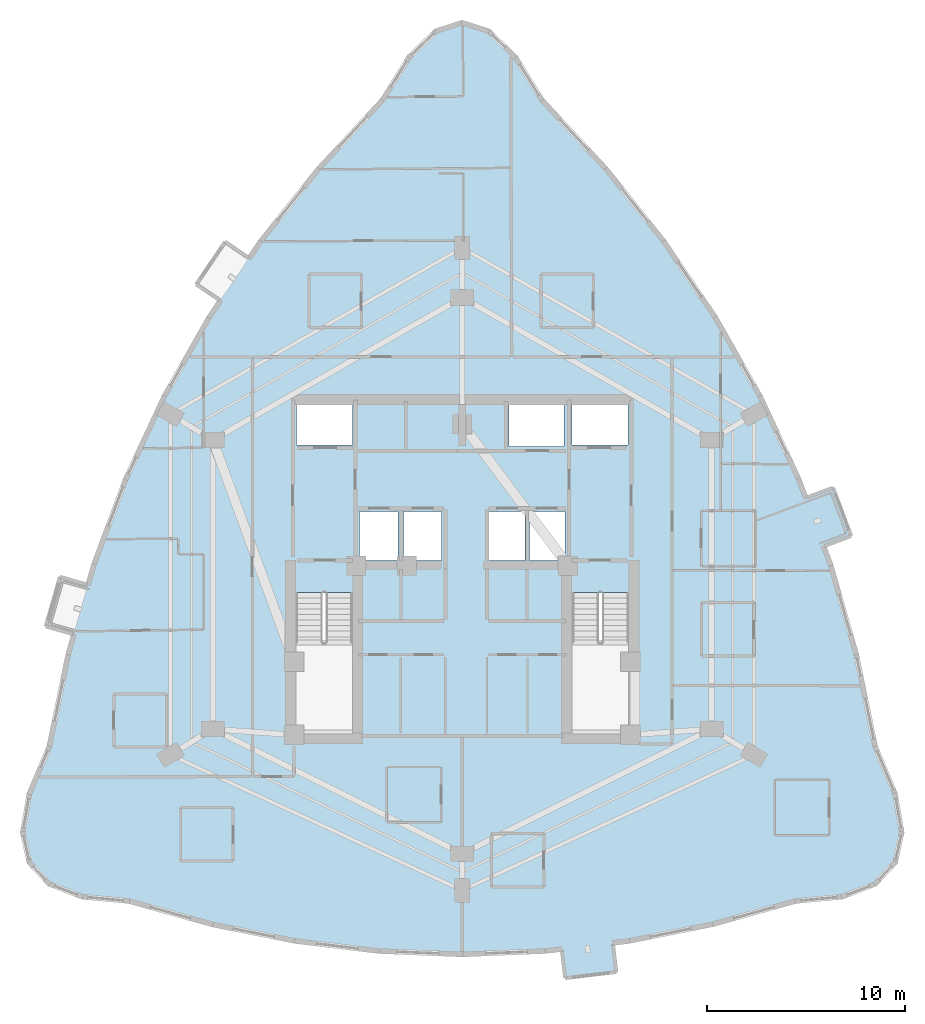
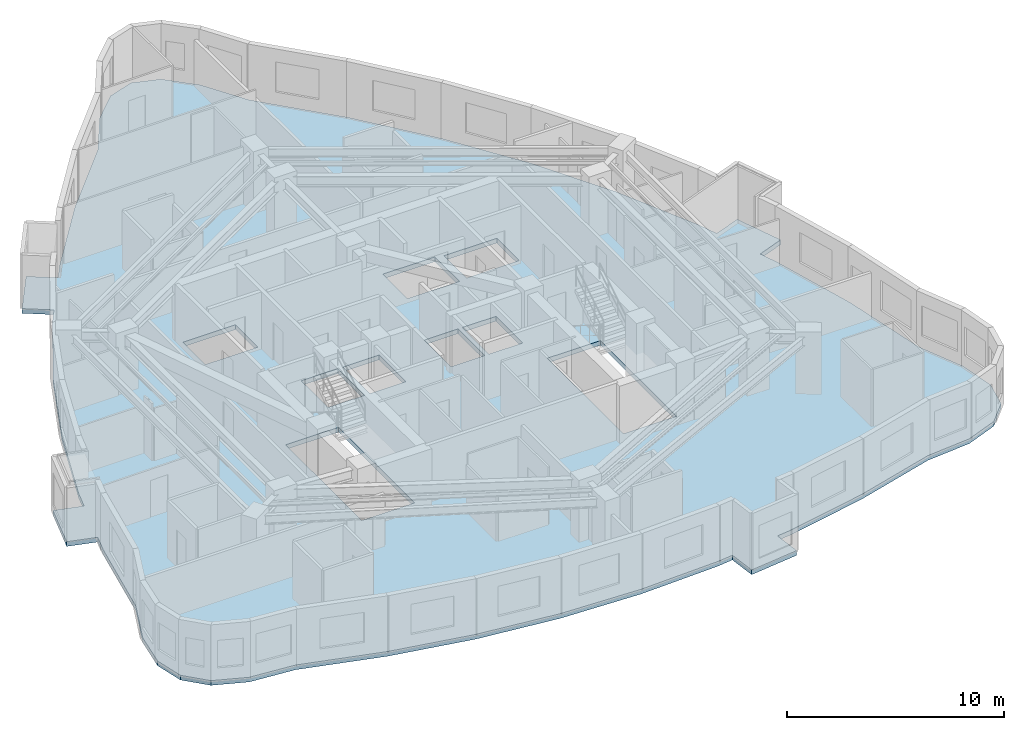
# One storey, part 3 of 11: 1 slab.
"""IFC4 building model written with IfcOpenShell, lengths in metres."""

from ifc_helpers import new_model, si_unit, direction, frame, origin, place, context, subcontext, project, spatial, polyline, outline, extrude, material, layer, layer_set, type_object, element, save


model = new_model("IFC4")

# Units and contexts
model_context = context("Model", 3, precision=1e-05, world=origin(), true_north=direction((0.0, 1.0)))
body_context = subcontext(model_context, "Body", "Model", "MODEL_VIEW")
ifc_project = project(units=[si_unit("LENGTHUNIT", "METRE"), si_unit("AREAUNIT", "SQUARE_METRE"), si_unit("VOLUMEUNIT", "CUBIC_METRE"), si_unit("PLANEANGLEUNIT", "RADIAN"), si_unit("MASSUNIT", "GRAM", prefix="KILO")], contexts=[model_context])

# Site, building, storey
site_placement = place(None, origin())
site = spatial("IfcSite", under=ifc_project, at=site_placement, CompositionType="ELEMENT")
building_placement = place(site_placement, origin())
building = spatial("IfcBuilding", under=site, at=building_placement, Name="Miruveldt Soraemaru", CompositionType="ELEMENT")
storey_placement = place(building_placement, frame((0.0, 0.0, 100.39990234375)))
storey = spatial("IfcBuildingStorey", under=building, at=storey_placement, Name="L27", CompositionType="ELEMENT", Elevation=100.39990234375)

# Slab
ifc_material = material(Name="Concrete C40/50 (40 MPa)", Category="concrete")
ifc_layer = layer(ifc_material, 0.264892578125, Name="Concrete C40/50 (40 MPa)", Category="concrete")
ifc_layer_set = layer_set([ifc_layer], Name="Concrete C40/50 (40 MPa)")
slab_type = type_object("IfcSlabType", Name="SLAB-RES2-265", PredefinedType="FLOOR", material=ifc_layer_set)
slab_placement = place(storey_placement, frame((0.0, 0.0, -0.264892578125)))
element("IfcSlab", 1, at=slab_placement, inside=storey, type_object=slab_type, Name="L27 Structural Floor Slab", PredefinedType="FLOOR", context=body_context, shape_type="SweptSolid", body=[
    extrude(outline(polyline([(22.965087890625, 40.98779296875), (23.679931640625, 43.487548828125), (25.10302734375, 43.08056640625), (25.389892578125, 44.083740234375), (27.005615234375, 48.42138671875), (28.94775390625, 52.59033203125), (31.216796875, 56.591064453125), (31.785888671875, 57.430908203125), (30.560546875, 58.260986328125), (32.018798828125, 60.41357421875), (33.243896484375, 59.58349609375), (32.514892578125, 58.507080078125), (33.81298828125, 60.42333984375), (36.735595703125, 64.0869140625), (39.985107421875, 67.582275390625), (41.323486328125, 69.745849609375), (42.66162109375, 71.0439453125), (44.0, 71.4765625), (45.33837890625, 71.0439453125), (46.676513671875, 69.745849609375), (48.014892578125, 67.582275390625), (51.264404296875, 64.0869140625), (54.18701171875, 60.42333984375), (56.783203125, 56.591064453125), (59.05224609375, 52.59033203125), (60.994384765625, 48.42138671875), (61.3486328125, 47.470703125), (62.7353515625, 47.9873046875), (63.64306640625, 45.55078125), (62.256103515625, 45.0341796875), (61.80224609375, 46.25244140625), (62.610107421875, 44.083740234375), (63.898681640625, 39.57763671875), (64.86083984375, 34.903076171875), (65.864501953125, 32.523193359375), (66.19921875, 30.576171875), (65.864501953125, 29.061767578125), (64.86083984375, 27.97998046875), (63.18798828125, 27.330810546875), (60.845703125, 27.114501953125), (56.634521484375, 25.935302734375), (52.4228515625, 25.093017578125), (51.60791015625, 24.995361328125), (51.7841796875, 23.52587890625), (49.202880859375, 23.216064453125), (49.026611328125, 24.685546875), (50.317138671875, 24.84033203125), (48.21142578125, 24.587646484375), (44.0, 24.419189453125), (39.78857421875, 24.587646484375), (35.5771484375, 25.093017578125), (31.365478515625, 25.935302734375), (27.154296875, 27.114501953125), (24.81201171875, 27.330810546875), (23.13916015625, 27.97998046875), (22.135498046875, 29.061767578125), (21.80078125, 30.576171875), (22.135498046875, 32.523193359375), (23.13916015625, 34.903076171875), (24.101318359375, 39.57763671875), (24.38818359375, 40.580810546875), (22.965087890625, 40.98779296875)]), holes=[polyline([(35.614990234375, 35.6650390625), (38.43505859375, 35.6650390625), (38.43505859375, 42.68505859375), (35.614990234375, 42.68505859375), (35.614990234375, 35.6650390625)]), polyline([(49.56494140625, 35.6650390625), (52.385009765625, 35.6650390625), (52.385009765625, 42.68505859375), (49.56494140625, 42.68505859375), (49.56494140625, 35.6650390625)]), polyline([(40.764892578125, 44.31494140625), (40.764892578125, 46.784912109375), (38.81494140625, 46.784912109375), (38.81494140625, 44.31494140625), (40.764892578125, 44.31494140625)]), polyline([(42.965087890625, 44.31494140625), (42.965087890625, 46.784912109375), (41.034912109375, 46.784912109375), (41.034912109375, 44.31494140625), (42.965087890625, 44.31494140625)]), polyline([(47.1650390625, 44.31494140625), (47.1650390625, 46.784912109375), (45.364990234375, 46.784912109375), (45.364990234375, 44.31494140625), (47.1650390625, 44.31494140625)]), polyline([(49.18505859375, 44.31494140625), (49.18505859375, 46.784912109375), (47.39501953125, 46.784912109375), (47.39501953125, 44.31494140625), (49.18505859375, 44.31494140625)]), polyline([(38.445068359375, 50.135009765625), (38.445068359375, 52.205078125), (35.635009765625, 52.205078125), (35.635009765625, 50.135009765625), (38.445068359375, 50.135009765625)]), polyline([(49.554931640625, 50.135009765625), (52.364990234375, 50.135009765625), (52.364990234375, 52.205078125), (49.554931640625, 52.205078125), (49.554931640625, 50.135009765625)]), polyline([(46.364990234375, 50.06494140625), (49.135009765625, 50.06494140625), (49.135009765625, 52.3349609375), (46.364990234375, 52.3349609375), (46.364990234375, 50.06494140625)])]), origin(), (0.0, 0.0, 1.0), 0.264892578125),
])

save(model, "model.ifc")
